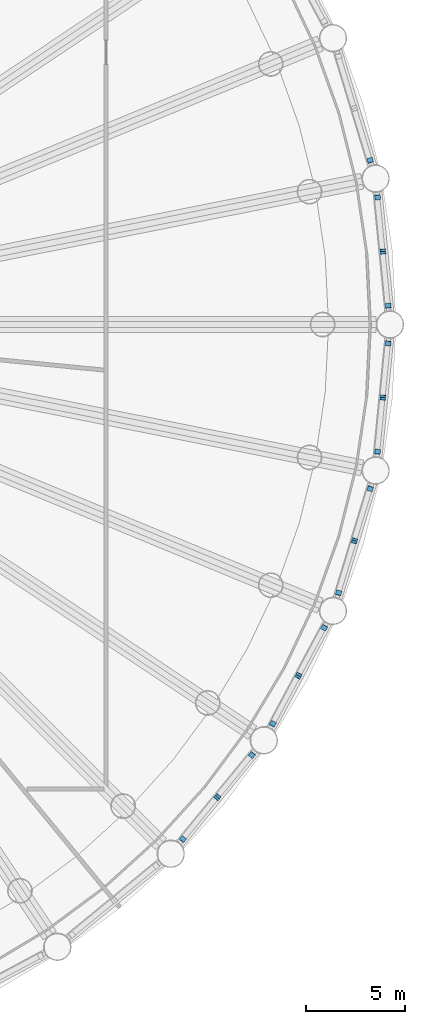
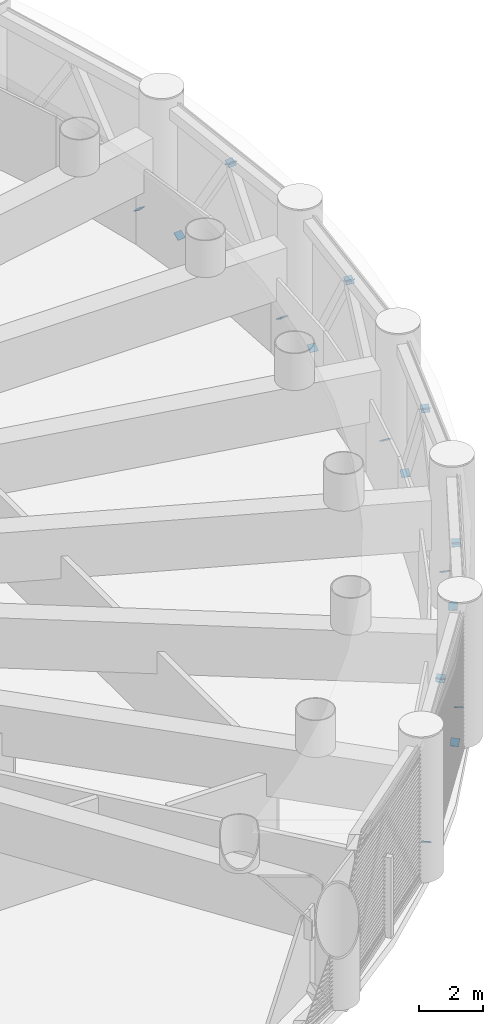
# One storey, part 15 of 26: 21 discrete accessories.
"""IFC4 building model written with IfcOpenShell, lengths in metres."""

from ifc_helpers import new_model, si_unit, direction, frame, origin, origin_2d, place, context, subcontext, project, spatial, rectangle, extrude, material, material_profile, profile_set, type_object, element, save


model = new_model("IFC4")

# Units and contexts
model_context = context("Model", 3, precision=1e-05, world=origin(), true_north=direction((0.0, 1.0)))
body_context = subcontext(model_context, "Body", "Model", "MODEL_VIEW")
ifc_project = project(units=[si_unit("LENGTHUNIT", "METRE"), si_unit("AREAUNIT", "SQUARE_METRE"), si_unit("VOLUMEUNIT", "CUBIC_METRE"), si_unit("PLANEANGLEUNIT", "RADIAN"), si_unit("MASSUNIT", "GRAM", prefix="KILO")], contexts=[model_context])

# Site, building, storey
site_placement = place(None, origin())
site = spatial("IfcSite", under=ifc_project, at=site_placement, CompositionType="ELEMENT")
building_placement = place(site_placement, origin())
building = spatial("IfcBuilding", under=site, at=building_placement, Name="Corvane Civic Tower", CompositionType="ELEMENT")
storey_placement = place(building_placement, frame((0.0, 0.0, 85.0)))
storey = spatial("IfcBuildingStorey", under=building, at=storey_placement, Name="L19", CompositionType="ELEMENT", Elevation=85.0)

# Discrete accessories
ifc_material = material(Name="Steel ASTM A572 Gr 50", Category="steel")
ifc_material_profile = material_profile(ifc_material, rectangle(XDim=0.2802734375, YDim=0.2802734375, at=origin_2d()), Name="GUSSET PLATE 25 IN HSS12X12X1/2")
ifc_profile_set = profile_set([ifc_material_profile], Name="Steel ASTM A572 Gr 50")
discrete_accessory_type = type_object("IfcDiscreteAccessoryType", Name="GUSSET PLATE 25 IN HSS12X12X1/2", PredefinedType="BRACKET", material=ifc_profile_set)
for number, where, z_axis, x_axis, name in (
    (1, (36.699951171875, 8.26416015625, 0.406494140625), (-0.15722585379, 0.510984024818, 0.845088964122), (-0.955779008722, -0.294085848838, 0.0), "Gusset plate BD1 end A"),
    (2, (37.068603515625, 6.40966796875, 0.406494140625), (0.058674270186, -0.537847476703, 0.840997872662), (0.994102176608, 0.108447510175, 0.0), "Gusset plate BD1 end A"),
):
    element("IfcDiscreteAccessory", number, at=place(storey_placement, frame(where, z_axis=z_axis, x_axis=x_axis)), inside=storey, type_object=discrete_accessory_type, Name=name, PredefinedType="BRACKET", context=body_context, shape_type="SweptSolid", body=[
        extrude(rectangle(XDim=0.2802734375, YDim=0.2802734375, at=origin_2d()), origin(), (0.0, 0.0, 1.0), 0.02490234375),
    ])
discrete_accessory_1_placement = place(storey_placement, frame((37.337890625, 3.677490234375, 4.74365234375), z_axis=(-0.058194858711, 0.533452871521, -0.843825451314), x_axis=(-0.994102176608, -0.108447510175, 0.0)))
element("IfcDiscreteAccessory", 3, at=discrete_accessory_1_placement, inside=storey, type_object=discrete_accessory_type, Name="Gusset plate BD1 end B", PredefinedType="BRACKET", context=body_context, shape_type="SweptSolid", body=[
    extrude(rectangle(XDim=0.2802734375, YDim=0.2802734375, at=origin_2d()), origin(), (0.0, 0.0, 1.0), 0.025146484375),
])
discrete_accessory_2_placement = place(storey_placement, frame((37.60693359375, 0.9453125, 0.406494140625), z_axis=(-0.058674270186, 0.537847476703, 0.840997872662), x_axis=(-0.994102176608, -0.108447510175, 0.0)))
element("IfcDiscreteAccessory", 4, at=discrete_accessory_2_placement, inside=storey, type_object=discrete_accessory_type, Name="Gusset plate BD1 end A", PredefinedType="BRACKET", context=body_context, shape_type="SweptSolid", body=[
    extrude(rectangle(XDim=0.2802734375, YDim=0.2802734375, at=origin_2d()), origin(), (0.0, 0.0, 1.0), 0.02490234375),
])
discrete_accessory_3_placement = place(storey_placement, frame((37.337890625, 3.677490234375, 4.74365234375), z_axis=(0.04852082694, -0.533729096341, -0.844262388758), x_axis=(0.995893206468, 0.090535746043, 0.0)))
element("IfcDiscreteAccessory", 5, at=discrete_accessory_3_placement, inside=storey, type_object=discrete_accessory_type, Name="Gusset plate BD1 end B", PredefinedType="BRACKET", context=body_context, shape_type="SweptSolid", body=[
    extrude(rectangle(XDim=0.2802734375, YDim=0.2802734375, at=origin_2d()), origin(), (0.0, 0.0, 1.0), 0.025146484375),
])
discrete_accessory_4_placement = place(storey_placement, frame((37.60693359375, -0.9453125, 0.406494140625), z_axis=(-0.058674270186, -0.537847476703, 0.840997872662), x_axis=(0.994102176608, -0.108447510175, 0.0)))
element("IfcDiscreteAccessory", 6, at=discrete_accessory_4_placement, inside=storey, type_object=discrete_accessory_type, Name="Gusset plate BD1 end A", PredefinedType="BRACKET", context=body_context, shape_type="SweptSolid", body=[
    extrude(rectangle(XDim=0.2802734375, YDim=0.2802734375, at=origin_2d()), origin(), (0.0, 0.0, 1.0), 0.02490234375),
])
discrete_accessory_5_placement = place(storey_placement, frame((37.337890625, -3.677490234375, 4.74365234375), z_axis=(0.04852082694, 0.533729096341, -0.844262388758), x_axis=(-0.995893206468, 0.090535746043, 0.0)))
element("IfcDiscreteAccessory", 7, at=discrete_accessory_5_placement, inside=storey, type_object=discrete_accessory_type, Name="Gusset plate BD1 end B", PredefinedType="BRACKET", context=body_context, shape_type="SweptSolid", body=[
    extrude(rectangle(XDim=0.2802734375, YDim=0.2802734375, at=origin_2d()), origin(), (0.0, 0.0, 1.0), 0.025146484375),
])
discrete_accessory_6_placement = place(storey_placement, frame((37.068603515625, -6.40966796875, 0.406494140625), z_axis=(0.058674270186, 0.537847476703, 0.840997872662), x_axis=(-0.994102176608, 0.108447510175, 0.0)))
element("IfcDiscreteAccessory", 8, at=discrete_accessory_6_placement, inside=storey, type_object=discrete_accessory_type, Name="Gusset plate BD1 end A", PredefinedType="BRACKET", context=body_context, shape_type="SweptSolid", body=[
    extrude(rectangle(XDim=0.2802734375, YDim=0.2802734375, at=origin_2d()), origin(), (0.0, 0.0, 1.0), 0.02490234375),
])
discrete_accessory_7_placement = place(storey_placement, frame((37.337890625, -3.677490234375, 4.74365234375), z_axis=(-0.058194858711, -0.533452871521, -0.843825451314), x_axis=(0.994102176608, -0.108447510175, 0.0)))
element("IfcDiscreteAccessory", 9, at=discrete_accessory_7_placement, inside=storey, type_object=discrete_accessory_type, Name="Gusset plate BD1 end B", PredefinedType="BRACKET", context=body_context, shape_type="SweptSolid", body=[
    extrude(rectangle(XDim=0.2802734375, YDim=0.2802734375, at=origin_2d()), origin(), (0.0, 0.0, 1.0), 0.025146484375),
])
discrete_accessory_8_placement = place(storey_placement, frame((36.699951171875, -8.26416015625, 0.406494140625), z_axis=(-0.15722585379, -0.510984024818, 0.845088964122), x_axis=(0.955779008722, -0.294085848838, 0.0)))
element("IfcDiscreteAccessory", 10, at=discrete_accessory_8_placement, inside=storey, type_object=discrete_accessory_type, Name="Gusset plate BD1 end A", PredefinedType="BRACKET", context=body_context, shape_type="SweptSolid", body=[
    extrude(rectangle(XDim=0.2802734375, YDim=0.2802734375, at=origin_2d()), origin(), (0.0, 0.0, 1.0), 0.02490234375),
])
discrete_accessory_9_placement = place(storey_placement, frame((35.90283203125, -10.89111328125, 4.74365234375), z_axis=(0.155928829858, 0.50676869704, -0.847863012355), x_axis=(-0.955779008722, 0.294085848838, 0.0)))
element("IfcDiscreteAccessory", 11, at=discrete_accessory_9_placement, inside=storey, type_object=discrete_accessory_type, Name="Gusset plate BD1 end B", PredefinedType="BRACKET", context=body_context, shape_type="SweptSolid", body=[
    extrude(rectangle(XDim=0.2802734375, YDim=0.2802734375, at=origin_2d()), origin(), (0.0, 0.0, 1.0), 0.025146484375),
])
for number, where, z_axis, x_axis, name in (
    (12, (35.106201171875, -13.51806640625, 0.406494140625), (0.147620349392, 0.511750544557, 0.846356669845), (-0.960823591181, 0.277160651302, 0.0), "Gusset plate BD1 end A"),
    (13, (35.90283203125, -10.89111328125, 4.74365234375), (-0.146398954364, -0.507516375128, -0.84911393531), (0.960823591181, -0.277160651302, 0.0), "Gusset plate BD1 end B"),
    (14, (34.382568359375, -15.26513671875, 0.406494140625), (-0.255245660011, -0.471222756944, 0.844274106191), (0.879291966537, -0.476283148541, 0.0), "Gusset plate BD1 end A"),
):
    element("IfcDiscreteAccessory", number, at=place(storey_placement, frame(where, z_axis=z_axis, x_axis=x_axis)), inside=storey, type_object=discrete_accessory_type, Name=name, PredefinedType="BRACKET", context=body_context, shape_type="SweptSolid", body=[
        extrude(rectangle(XDim=0.2802734375, YDim=0.2802734375, at=origin_2d()), origin(), (0.0, 0.0, 1.0), 0.02490234375),
    ])
discrete_accessory_10_placement = place(storey_placement, frame((33.08837890625, -17.686279296875, 4.74365234375), z_axis=(0.25198814938, 0.474900743063, -0.843191115234), x_axis=(-0.883349020695, 0.468715806899, 0.0)))
element("IfcDiscreteAccessory", 15, at=discrete_accessory_10_placement, inside=storey, type_object=discrete_accessory_type, Name="Gusset plate BD1 end B", PredefinedType="BRACKET", context=body_context, shape_type="SweptSolid", body=[
    extrude(rectangle(XDim=0.2802734375, YDim=0.2802734375, at=origin_2d()), origin(), (0.0, 0.0, 1.0), 0.025146484375),
])
discrete_accessory_11_placement = place(storey_placement, frame((31.794189453125, -20.107177734375, 0.406494140625), z_axis=(0.255245660011, 0.471222756944, 0.844274106191), x_axis=(-0.879291966537, 0.476283148541, 0.0)))
element("IfcDiscreteAccessory", 16, at=discrete_accessory_11_placement, inside=storey, type_object=discrete_accessory_type, Name="Gusset plate BD1 end A", PredefinedType="BRACKET", context=body_context, shape_type="SweptSolid", body=[
    extrude(rectangle(XDim=0.2802734375, YDim=0.2802734375, at=origin_2d()), origin(), (0.0, 0.0, 1.0), 0.02490234375),
])
discrete_accessory_12_placement = place(storey_placement, frame((33.08837890625, -17.686279296875, 4.74365234375), z_axis=(-0.253144037058, -0.467342837645, -0.847058893232), x_axis=(0.879291966537, -0.476283148541, 0.0)))
element("IfcDiscreteAccessory", 17, at=discrete_accessory_12_placement, inside=storey, type_object=discrete_accessory_type, Name="Gusset plate BD1 end B", PredefinedType="BRACKET", context=body_context, shape_type="SweptSolid", body=[
    extrude(rectangle(XDim=0.2802734375, YDim=0.2802734375, at=origin_2d()), origin(), (0.0, 0.0, 1.0), 0.025146484375),
])
discrete_accessory_13_placement = place(storey_placement, frame((30.74365234375, -21.679443359375, 0.406494140625), z_axis=(-0.334752053874, -0.413517243021, 0.846725783328), x_axis=(0.777244870707, -0.629198228668, 0.0)))
element("IfcDiscreteAccessory", 18, at=discrete_accessory_13_placement, inside=storey, type_object=discrete_accessory_type, Name="Gusset plate BD1 end A", PredefinedType="BRACKET", context=body_context, shape_type="SweptSolid", body=[
    extrude(rectangle(XDim=0.2802734375, YDim=0.2802734375, at=origin_2d()), origin(), (0.0, 0.0, 1.0), 0.02490234375),
])
discrete_accessory_14_placement = place(storey_placement, frame((29.002197265625, -23.801513671875, 4.74365234375), z_axis=(0.340625545805, 0.408750654966, -0.846697785287), x_axis=(-0.768221279597, 0.640184399664, 0.0)))
element("IfcDiscreteAccessory", 19, at=discrete_accessory_14_placement, inside=storey, type_object=discrete_accessory_type, Name="Gusset plate BD1 end B", PredefinedType="BRACKET", context=body_context, shape_type="SweptSolid", body=[
    extrude(rectangle(XDim=0.2802734375, YDim=0.2802734375, at=origin_2d()), origin(), (0.0, 0.0, 1.0), 0.025146484375),
])
discrete_accessory_15_placement = place(storey_placement, frame((27.2607421875, -25.923583984375, 0.406494140625), z_axis=(0.334752053874, 0.413517243021, 0.846725783328), x_axis=(-0.777244870707, 0.629198228668, 0.0)))
element("IfcDiscreteAccessory", 20, at=discrete_accessory_15_placement, inside=storey, type_object=discrete_accessory_type, Name="Gusset plate BD1 end A", PredefinedType="BRACKET", context=body_context, shape_type="SweptSolid", body=[
    extrude(rectangle(XDim=0.2802734375, YDim=0.2802734375, at=origin_2d()), origin(), (0.0, 0.0, 1.0), 0.02490234375),
])
discrete_accessory_16_placement = place(storey_placement, frame((29.002197265625, -23.801513671875, 4.74365234375), z_axis=(-0.340625545805, -0.408750654966, -0.846697785287), x_axis=(0.768221279597, -0.640184399664, 0.0)))
element("IfcDiscreteAccessory", 21, at=discrete_accessory_16_placement, inside=storey, type_object=discrete_accessory_type, Name="Gusset plate BD1 end B", PredefinedType="BRACKET", context=body_context, shape_type="SweptSolid", body=[
    extrude(rectangle(XDim=0.2802734375, YDim=0.2802734375, at=origin_2d()), origin(), (0.0, 0.0, 1.0), 0.025146484375),
])

save(model, "model.ifc")
